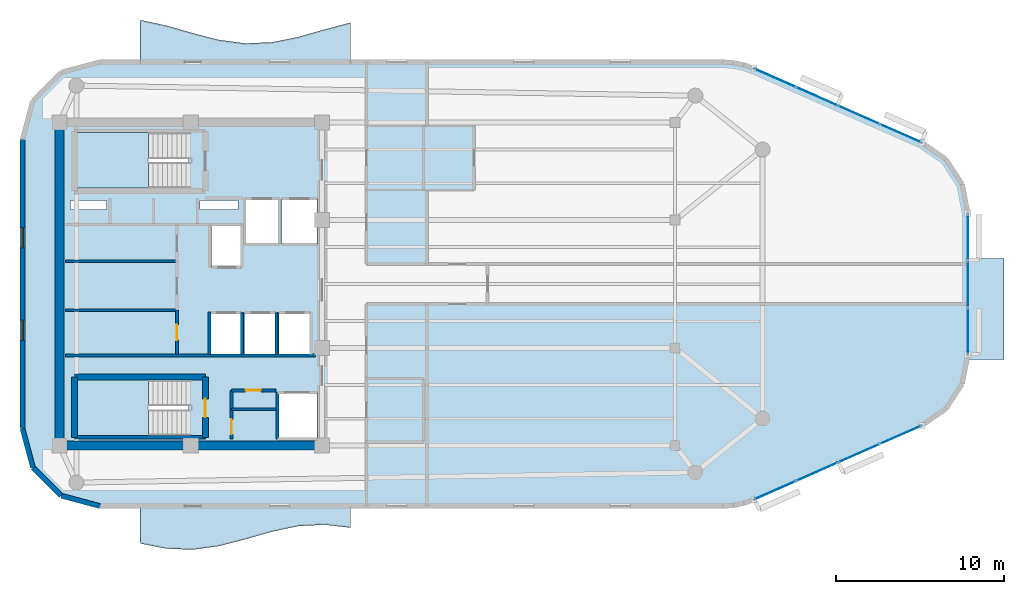
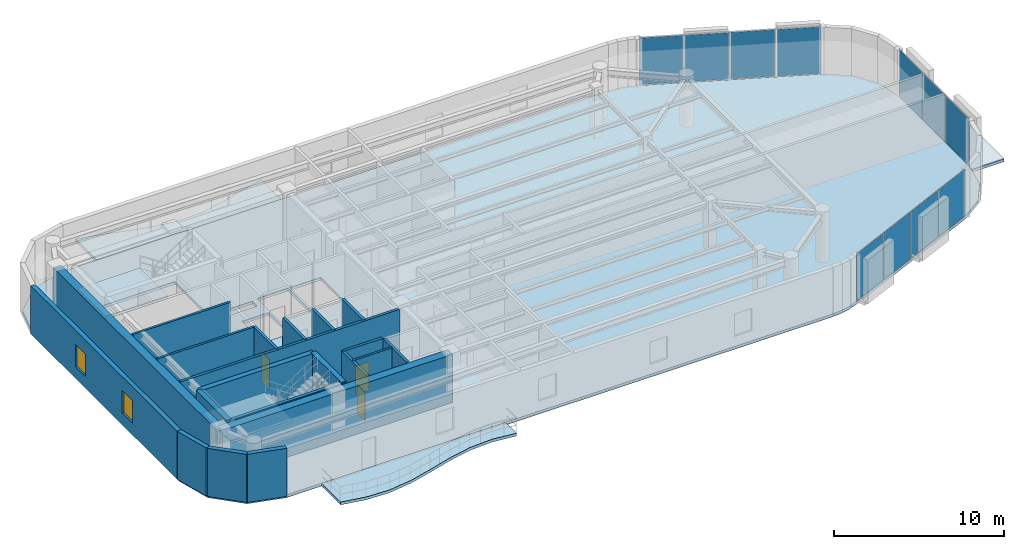
# One storey, part 7 of 12: 21 walls, 11 plates, 6 slabs, 4 doors, 2 windows, 6 openings, 5 elements without a shape of their own.
"""IFC4 building model written with IfcOpenShell, lengths in metres."""

import ifcopenshell
import ifcopenshell.guid

model = None  # the IFC model being written
_history = None  # IfcOwnerHistory: only IFC2X3 demands one
_inside = {}  # id of a spatial element -> (the spatial element, [elements in it])
_under = {}  # id of a project, library or spatial element -> (it, [spatial elements below it])
_declared = {}  # id of a project -> (the project, [libraries it declares])
_typed = {}  # id of a type object -> (the type object, [elements of that type])
_made_of = {}  # id of a material, layer set ... -> (it, [elements and type objects made of it])


def new_model(schema):
    """Start an empty IFC model of exactly this schema.

    Asked for "IFC4X3", IfcOpenShell would pick the latest addendum, in which some entities
    have other attributes; the version numbers below select the first issue.
    IFC2X3 requires an IfcOwnerHistory on every rooted entity: one is made here for all.
    """
    global model, _history
    if schema == "IFC4X3":
        model = ifcopenshell.file(schema_version=(4, 3, 0, 0))
    else:
        model = ifcopenshell.file(schema=schema)
    _inside.clear()
    _under.clear()
    _declared.clear()
    _typed.clear()
    _made_of.clear()
    _history = None
    if model.schema == "IFC2X3":
        org = make("IfcOrganization", Name="unknown")
        user = make(
            "IfcPersonAndOrganization",
            ThePerson=make("IfcPerson", FamilyName="unknown"),
            TheOrganization=org,
        )
        app = make(
            "IfcApplication",
            ApplicationDeveloper=org,
            Version="unknown",
            ApplicationFullName="unknown",
            ApplicationIdentifier="unknown",
        )
        _history = make(
            "IfcOwnerHistory",
            OwningUser=user,
            OwningApplication=app,
            ChangeAction="ADDED",
            CreationDate=0,
        )
    return model


def make(cls, **values):
    """One entity of the class cls with the attributes given. An attribute that is None is left unset."""
    return model.create_entity(
        cls, **{name: value for name, value in values.items() if value is not None}
    )


def rooted(cls, **values):
    """An entity with a GlobalId (a new one), such as an element, a storey or a relation."""
    return make(cls, GlobalId=ifcopenshell.guid.new(), OwnerHistory=_history, **values)


def si_unit(unit_type, name, prefix=None):
    """IfcSIUnit, for example si_unit("LENGTHUNIT", "METRE", prefix="MILLI")."""
    return make("IfcSIUnit", UnitType=unit_type, Prefix=prefix, Name=name)


def assignment(units):
    """IfcUnitAssignment: the units of a project."""
    return None if units is None else make("IfcUnitAssignment", Units=units)


def point(xyz):
    """IfcCartesianPoint."""
    return None if xyz is None else make("IfcCartesianPoint", Coordinates=xyz)


def direction(xyz):
    """IfcDirection."""
    return None if xyz is None else make("IfcDirection", DirectionRatios=xyz)


def frame(location, z_axis=None, x_axis=None):
    """IfcAxis2Placement3D, a coordinate frame: its origin and axes. An axis left out is left unset."""
    return make(
        "IfcAxis2Placement3D",
        Location=point(location),
        Axis=direction(z_axis),
        RefDirection=direction(x_axis),
    )


def frame_2d(location, x_axis=None):
    """IfcAxis2Placement2D, a coordinate frame in the plane: its origin and x axis."""
    return make(
        "IfcAxis2Placement2D", Location=point(location), RefDirection=direction(x_axis)
    )


def origin():
    """The frame at (0, 0, 0) with its axes left unset."""
    return frame((0.0, 0.0, 0.0))


def origin_2d():
    """The frame at (0, 0) in the plane with its x axis left unset."""
    return frame_2d((0.0, 0.0))


def place(relative_to, where):
    """IfcLocalPlacement: puts the frame where relative to a parent placement (None: the world)."""
    return make(
        "IfcLocalPlacement", PlacementRelTo=relative_to, RelativePlacement=where
    )


def context(
    kind, dimensions, precision=None, world=None, true_north=None, identifier=None
):
    """IfcGeometricRepresentationContext, for example the 3D "Model" context."""
    return make(
        "IfcGeometricRepresentationContext",
        ContextIdentifier=identifier,
        ContextType=kind,
        CoordinateSpaceDimension=dimensions,
        Precision=precision,
        WorldCoordinateSystem=world,
        TrueNorth=true_north,
    )


def subcontext(parent, identifier, kind, view, scale=None):
    """IfcGeometricRepresentationSubContext, for example "Body" below "Model"."""
    return make(
        "IfcGeometricRepresentationSubContext",
        ContextIdentifier=identifier,
        ContextType=kind,
        ParentContext=parent,
        TargetScale=scale,
        TargetView=view,
    )


def project(units=None, contexts=None):
    """IfcProject with its units and contexts."""
    return rooted(
        "IfcProject",
        Name="project",
        RepresentationContexts=contexts,
        UnitsInContext=assignment(units),
    )


def spatial(cls, under=None, at=None, **own):
    """A site, building, storey or space (cls), placed at a placement, below another one or the project."""
    s = rooted(cls, ObjectPlacement=at, **own)
    if under is not None:
        _under.setdefault(under.id(), (under, []))[1].append(s)
    return s


def polyline(points):
    """IfcPolyline through the points."""
    return make("IfcPolyline", Points=[point(p) for p in points])


def profile(cls, at=None, kind="AREA", **sizes):
    """A parametric profile (cls). Its sizes go by their IFC names, for example OverallWidth=200.0."""
    return make(cls, ProfileType=kind, Position=at, **sizes)


def rectangle(**sizes):
    """IfcRectangleProfileDef."""
    return profile("IfcRectangleProfileDef", **sizes)


def outline(outer, holes=None, kind="AREA"):
    """IfcArbitraryClosedProfileDef: a profile drawn as a closed curve; with holes, ...WithVoids."""
    if holes is None:
        return make("IfcArbitraryClosedProfileDef", ProfileType=kind, OuterCurve=outer)
    return make(
        "IfcArbitraryProfileDefWithVoids",
        ProfileType=kind,
        OuterCurve=outer,
        InnerCurves=holes,
    )


def extrude(swept, where, along, depth):
    """IfcExtrudedAreaSolid: the profile swept, set in the frame where, extruded along a direction by depth."""
    return make(
        "IfcExtrudedAreaSolid",
        SweptArea=swept,
        Position=where,
        ExtrudedDirection=direction(along),
        Depth=depth,
    )


def shape(context_of_items, identifier, shape_type, items):
    """IfcShapeRepresentation: the items that make up one representation, for example the "Body"."""
    return make(
        "IfcShapeRepresentation",
        ContextOfItems=context_of_items,
        RepresentationIdentifier=identifier,
        RepresentationType=shape_type,
        Items=items,
    )


def material(Name=None, Category=None):
    """IfcMaterial."""
    return make("IfcMaterial", Name=Name, Category=Category)


def layer(
    of_material, thickness, ventilated=None, Name=None, Category=None, Priority=None
):
    """IfcMaterialLayer: one layer of a wall or slab, of a material (None: an air gap)."""
    return make(
        "IfcMaterialLayer",
        Material=of_material,
        LayerThickness=thickness,
        IsVentilated=ventilated,
        Name=Name,
        Category=Category,
        Priority=Priority,
    )


def layer_set(layers, Name=None):
    """IfcMaterialLayerSet."""
    return make("IfcMaterialLayerSet", MaterialLayers=layers, LayerSetName=Name)


def made_of(thing, what):
    """Note that an element or type object is made of a material, layer set ...; save() writes the relation."""
    if what is not None:
        _made_of.setdefault(what.id(), (what, []))[1].append(thing)
    return thing


def type_object(cls, material=None, **own):
    """A type object (cls), such as IfcWallType, which elements share."""
    return made_of(rooted(cls, **own), material)


def element(
    cls,
    number,
    at=None,
    inside=None,
    cuts=None,
    type_object=None,
    material=None,
    context=None,
    identifier="Body",
    shape_type=None,
    held_by="IfcProductDefinitionShape",
    body=None,
    shapes=None,
    **own,
):
    """One element of the class cls, such as IfcWall. Its Tag is "e" and its number.

    at: its placement. inside: the storey or other place that contains it. cuts: it is an
    opening in that element (IfcRelVoidsElement). A single representation is given by context,
    identifier, shape_type and body (its items); several are given by shapes. held_by: the class
    of the entity that holds the representations. save() writes the other relations.
    """
    e = rooted(cls, Tag="e%d" % number, ObjectPlacement=at, **own)
    if body is not None:
        shapes = [shape(context, identifier, shape_type, body)]
    if shapes is not None:
        e.Representation = make(held_by, Representations=shapes)
    if inside is not None:
        _inside.setdefault(inside.id(), (inside, []))[1].append(e)
    if cuts is not None:
        rooted(
            "IfcRelVoidsElement", RelatingBuildingElement=cuts, RelatedOpeningElement=e
        )
    if type_object is not None:
        _typed.setdefault(type_object.id(), (type_object, []))[1].append(e)
    return made_of(e, material)


def fill(opening, filler):
    """IfcRelFillsElement: the door or window that sits in an opening."""
    return rooted(
        "IfcRelFillsElement",
        RelatingOpeningElement=opening,
        RelatedBuildingElement=filler,
    )


def aggregate(whole, parts):
    """IfcRelAggregates: a whole, such as a stair, and the parts it consists of."""
    return rooted("IfcRelAggregates", RelatingObject=whole, RelatedObjects=parts)


def save(model, path):
    """Write the relations noted so far, then the file.

    IfcRelAggregates (storeys below a building ...), IfcRelContainedInSpatialStructure (elements
    in a storey), IfcRelDefinesByType, IfcRelAssociatesMaterial and IfcRelDeclares: one each for
    every whole, place, type object, material and project.
    """
    for whole, parts in _under.values():
        aggregate(whole, parts)
    for where, things in _inside.values():
        rooted(
            "IfcRelContainedInSpatialStructure",
            RelatedElements=things,
            RelatingStructure=where,
        )
    for kind, things in _typed.values():
        rooted("IfcRelDefinesByType", RelatedObjects=things, RelatingType=kind)
    for what, things in _made_of.values():
        rooted("IfcRelAssociatesMaterial", RelatedObjects=things, RelatingMaterial=what)
    for by, libraries in _declared.values():
        rooted("IfcRelDeclares", RelatingContext=by, RelatedDefinitions=libraries)
    model.write(path)


model = new_model("IFC4")

# Units and contexts
model_context = context("Model", 3, precision=1e-05, world=origin(), true_north=direction((0.0, 1.0)))
body_context = subcontext(model_context, "Body", "Model", "MODEL_VIEW")
ifc_project = project(units=[si_unit("LENGTHUNIT", "METRE"), si_unit("AREAUNIT", "SQUARE_METRE"), si_unit("VOLUMEUNIT", "CUBIC_METRE"), si_unit("PLANEANGLEUNIT", "RADIAN"), si_unit("MASSUNIT", "GRAM", prefix="KILO")], contexts=[model_context])

# Site, building, storey
site_placement = place(None, origin())
site = spatial("IfcSite", under=ifc_project, at=site_placement, CompositionType="ELEMENT")
building_placement = place(site_placement, origin())
building = spatial("IfcBuilding", under=site, at=building_placement, Name="An Khanh Terracotta Commons", CompositionType="ELEMENT")
storey_placement = place(building_placement, frame((0.0, 0.0, 269.75)))
storey = spatial("IfcBuildingStorey", under=building, at=storey_placement, Name="L70", CompositionType="ELEMENT", Elevation=269.75)

# Curtain wall, plates
ifc_material_1 = material(Name="Anodised Aluminium 6063-T6", Category="aluminium")
ifc_layer_1 = layer(ifc_material_1, 0.2099609375, Name="Anodised Aluminium 6063-T6")
ifc_layer_set_1 = layer_set([ifc_layer_1], Name="Anodised Aluminium 6063-T6")
curtain_wall_type = type_object("IfcCurtainWallType", Name="CW-SYS-03", PredefinedType="USERDEFINED", material=ifc_layer_set_1)
curtain_wall_1_placement = place(storey_placement, origin())
curtain_wall_1 = element("IfcCurtainWall", 1, at=curtain_wall_1_placement, inside=storey, type_object=curtain_wall_type, Name="L70 CW-03 Unitised Curtain Wall CW-L70-08", ObjectType="UNITISED CURTAIN WALL", PredefinedType="USERDEFINED")
ifc_material_2 = material(Name="Acoustic Laminated Low-E Glazing", Category="glass")
ifc_layer_2 = layer(ifc_material_2, 0.035888671875, Name="Acoustic Laminated Low-E Glazing")
ifc_layer_set_2 = layer_set([ifc_layer_2], Name="Acoustic Laminated Low-E Glazing")
plate_type = type_object("IfcPlateType", Name="CWP-IGU-36", PredefinedType="CURTAIN_PANEL", material=ifc_layer_set_2)
plate_1_placement = place(storey_placement, frame((64.149169921875, 11.748046875, 0.050048828125), z_axis=(0.0, 0.0, 1.0), x_axis=(0.914901853201, 0.403676354285, 0.0)))
plate_1 = element("IfcPlate", 2, at=plate_1_placement, type_object=plate_type, Name="CW-03 panel 1.1", PredefinedType="CURTAIN_PANEL", context=body_context, shape_type="SweptSolid", body=[
    extrude(rectangle(XDim=2.619384765625, YDim=0.035888671875, at=origin_2d()), origin(), (0.0, 0.0, 1.0), 3.35009765625),
])
plate_2_placement = place(storey_placement, frame((66.625732421875, 12.840576171875, 0.050048828125), z_axis=(0.0, 0.0, 1.0), x_axis=(0.914901853201, 0.403676354285, 0.0)))
plate_2 = element("IfcPlate", 3, at=plate_2_placement, type_object=plate_type, Name="CW-03 panel 2.1", PredefinedType="CURTAIN_PANEL", context=body_context, shape_type="SweptSolid", body=[
    extrude(rectangle(XDim=2.654296875, YDim=0.035888671875, at=origin_2d()), origin(), (0.0, 0.0, 1.0), 3.35009765625),
])
plate_3_placement = place(storey_placement, frame((69.1181640625, 13.9404296875, 0.050048828125), z_axis=(0.0, 0.0, 1.0), x_axis=(0.914901853201, 0.403676354285, 0.0)))
plate_3 = element("IfcPlate", 4, at=plate_3_placement, type_object=plate_type, Name="CW-03 panel 3.1", PredefinedType="CURTAIN_PANEL", context=body_context, shape_type="SweptSolid", body=[
    extrude(rectangle(XDim=2.654296875, YDim=0.035888671875, at=origin_2d()), origin(), (0.0, 0.0, 1.0), 3.35009765625),
])
plate_4_placement = place(storey_placement, frame((71.5947265625, 15.032958984375, 0.050048828125), z_axis=(0.0, 0.0, 1.0), x_axis=(0.914901853201, 0.403676354285, 0.0)))
plate_4 = element("IfcPlate", 5, at=plate_4_placement, type_object=plate_type, Name="CW-03 panel 4.1", PredefinedType="CURTAIN_PANEL", context=body_context, shape_type="SweptSolid", body=[
    extrude(rectangle(XDim=2.619384765625, YDim=0.035888671875, at=origin_2d()), origin(), (0.0, 0.0, 1.0), 3.35009765625),
])
aggregate(curtain_wall_1, [plate_1, plate_2, plate_3, plate_4])

curtain_wall_2_placement = place(storey_placement, origin())
curtain_wall_2 = element("IfcCurtainWall", 6, at=curtain_wall_2_placement, inside=storey, type_object=curtain_wall_type, Name="L70 CW-03 Unitised Curtain Wall CW-L70-12", ObjectType="UNITISED CURTAIN WALL", PredefinedType="USERDEFINED")
plate_5_placement = place(storey_placement, frame((75.60009765625, 21.216064453125, 0.050048828125), z_axis=(0.0, 0.0, 1.0), x_axis=(0.0, 1.0, 0.0)))
plate_5 = element("IfcPlate", 7, at=plate_5_placement, type_object=plate_type, Name="CW-03 panel 1.1", PredefinedType="CURTAIN_PANEL", context=body_context, shape_type="SweptSolid", body=[
    extrude(rectangle(XDim=2.6962890625, YDim=0.035888671875, at=origin_2d()), origin(), (0.0, 0.0, 1.0), 3.35009765625),
])
plate_6_placement = place(storey_placement, frame((75.60009765625, 24.0, 0.050048828125), z_axis=(0.0, 0.0, 1.0), x_axis=(0.0, 1.0, 0.0)))
plate_6 = element("IfcPlate", 8, at=plate_6_placement, type_object=plate_type, Name="CW-03 panel 2.1", PredefinedType="CURTAIN_PANEL", context=body_context, shape_type="SweptSolid", body=[
    extrude(rectangle(XDim=2.7314453125, YDim=0.035888671875, at=origin_2d()), origin(), (0.0, 0.0, 1.0), 3.35009765625),
])
plate_7_placement = place(storey_placement, frame((75.60009765625, 26.783935546875, 0.050048828125), z_axis=(0.0, 0.0, 1.0), x_axis=(0.0, 1.0, 0.0)))
plate_7 = element("IfcPlate", 9, at=plate_7_placement, type_object=plate_type, Name="CW-03 panel 3.1", PredefinedType="CURTAIN_PANEL", context=body_context, shape_type="SweptSolid", body=[
    extrude(rectangle(XDim=2.6962890625, YDim=0.035888671875, at=origin_2d()), origin(), (0.0, 0.0, 1.0), 3.35009765625),
])
aggregate(curtain_wall_2, [plate_5, plate_6, plate_7])

curtain_wall_3_placement = place(storey_placement, origin())
curtain_wall_3 = element("IfcCurtainWall", 10, at=curtain_wall_3_placement, inside=storey, type_object=curtain_wall_type, Name="L70 CW-03 Unitised Curtain Wall CW-L70-16", ObjectType="UNITISED CURTAIN WALL", PredefinedType="USERDEFINED")
plate_8_placement = place(storey_placement, frame((71.5947265625, 32.967041015625, 0.050048828125), z_axis=(0.0, 0.0, 1.0), x_axis=(-0.914901853201, 0.403676354285, 0.0)))
plate_8 = element("IfcPlate", 11, at=plate_8_placement, type_object=plate_type, Name="CW-03 panel 1.1", PredefinedType="CURTAIN_PANEL", context=body_context, shape_type="SweptSolid", body=[
    extrude(rectangle(XDim=2.619384765625, YDim=0.035888671875, at=origin_2d()), origin(), (0.0, 0.0, 1.0), 3.35009765625),
])
plate_9_placement = place(storey_placement, frame((69.1181640625, 34.0595703125, 0.050048828125), z_axis=(0.0, 0.0, 1.0), x_axis=(-0.914901853201, 0.403676354285, 0.0)))
plate_9 = element("IfcPlate", 12, at=plate_9_placement, type_object=plate_type, Name="CW-03 panel 2.1", PredefinedType="CURTAIN_PANEL", context=body_context, shape_type="SweptSolid", body=[
    extrude(rectangle(XDim=2.654296875, YDim=0.035888671875, at=origin_2d()), origin(), (0.0, 0.0, 1.0), 3.35009765625),
])
plate_10_placement = place(storey_placement, frame((66.625732421875, 35.159423828125, 0.050048828125), z_axis=(0.0, 0.0, 1.0), x_axis=(-0.914901853201, 0.403676354285, 0.0)))
plate_10 = element("IfcPlate", 13, at=plate_10_placement, type_object=plate_type, Name="CW-03 panel 3.1", PredefinedType="CURTAIN_PANEL", context=body_context, shape_type="SweptSolid", body=[
    extrude(rectangle(XDim=2.654296875, YDim=0.035888671875, at=origin_2d()), origin(), (0.0, 0.0, 1.0), 3.35009765625),
])
plate_11_placement = place(storey_placement, frame((64.149169921875, 36.251953125, 0.050048828125), z_axis=(0.0, 0.0, 1.0), x_axis=(-0.914901853201, 0.403676354285, 0.0)))
plate_11 = element("IfcPlate", 14, at=plate_11_placement, type_object=plate_type, Name="CW-03 panel 4.1", PredefinedType="CURTAIN_PANEL", context=body_context, shape_type="SweptSolid", body=[
    extrude(rectangle(XDim=2.619384765625, YDim=0.035888671875, at=origin_2d()), origin(), (0.0, 0.0, 1.0), 3.35009765625),
])
aggregate(curtain_wall_3, [plate_8, plate_9, plate_10, plate_11])

# Slabs
ifc_material_3 = material(Name="Concrete C40/50", Category="concrete")
ifc_layer_3 = layer(ifc_material_3, 0.199951171875, Name="Concrete C40/50")
ifc_layer_set_3 = layer_set([ifc_layer_3], Name="Concrete C40/50")
slab_type_1 = type_object("IfcSlabType", Name="SLAB-BALC-200", PredefinedType="FLOOR", material=ifc_layer_set_3)
slab_1_placement = place(storey_placement, frame((0.0, 0.0, -0.199951171875)))
element("IfcSlab", 15, at=slab_1_placement, inside=storey, type_object=slab_type_1, Name="L70 S Sinusoidal Wave Balcony Slab", PredefinedType="FLOOR", context=body_context, shape_type="SweptSolid", body=[
    extrude(outline(polyline([(26.39990234375, 10.800048828125), (26.39990234375, 8.574951171875), (27.9619140625, 8.26904296875), (29.52490234375, 8.2119140625), (31.0869140625, 8.424072265625), (32.64990234375, 8.827880859375), (34.2119140625, 9.27587890625), (35.77490234375, 9.60595703125), (37.3369140625, 9.696044921875), (38.89990234375, 9.513916015625), (38.89990234375, 10.800048828125), (26.39990234375, 10.800048828125)])), origin(), (0.0, 0.0, 1.0), 0.199951171875),
])
slab_2_placement = place(storey_placement, frame((0.0, 0.0, -0.199951171875)))
element("IfcSlab", 16, at=slab_2_placement, inside=storey, type_object=slab_type_1, Name="L70 N Sinusoidal Wave Balcony Slab", PredefinedType="FLOOR", context=body_context, shape_type="SweptSolid", body=[
    extrude(outline(polyline([(38.89990234375, 37.199951171875), (38.89990234375, 39.544921875), (37.3369140625, 39.1298828125), (35.77490234375, 38.68603515625), (34.2119140625, 38.375), (32.64990234375, 38.31005859375), (31.0869140625, 38.514892578125), (29.52490234375, 38.916015625), (27.9619140625, 39.364990234375), (26.39990234375, 39.699951171875), (26.39990234375, 37.199951171875), (38.89990234375, 37.199951171875)])), origin(), (0.0, 0.0, 1.0), 0.199951171875),
])
ifc_layer_4 = layer(ifc_material_3, 0.22998046875, Name="Concrete C40/50")
ifc_layer_set_4 = layer_set([ifc_layer_4], Name="Concrete C40/50")
slab_type_2 = type_object("IfcSlabType", Name="SLAB-BOXROOF-230", PredefinedType="ROOF", material=ifc_layer_set_4)
slab_3_placement = place(storey_placement, frame((0.0, 0.0, -0.199951171875)))
element("IfcSlab", 17, at=slab_3_placement, inside=storey, type_object=slab_type_2, Name="L70 Shifted Social Kitchen Box Closing Roof Slab (L69)", PredefinedType="ROOF", context=body_context, shape_type="SweptSolid", body=[
    extrude(outline(polyline([(75.60009765625, 19.530029296875), (77.75, 19.530029296875), (77.75, 25.530029296875), (75.60009765625, 25.530029296875), (75.60009765625, 19.530029296875)])), origin(), (0.0, 0.0, 1.0), 0.199951171875),
])

# Stair, slab
ifc_material_4 = material(Name="Precast concrete C40/50", Category="concrete")
stair_type = type_object("IfcStairType", Name="STAIR-CORE-1550", PredefinedType="HALF_TURN_STAIR", material=ifc_material_4)
stair_1_placement = place(storey_placement, origin())
stair_1 = element("IfcStair", 18, at=stair_1_placement, inside=storey, type_object=stair_type, Name="L70 Core Smokeproof Exit Stair ST-01", PredefinedType="HALF_TURN_STAIR")
ifc_layer_5 = layer(ifc_material_3, 0.18994140625, Name="Concrete C40/50")
ifc_layer_set_5 = layer_set([ifc_layer_5], Name="Concrete C40/50")
slab_type_3 = type_object("IfcSlabType", Name="SLAB-LANDING-190", PredefinedType="LANDING", material=ifc_layer_set_5)
slab_4_placement = place(storey_placement, frame((0.0, 0.0, 1.625)))
slab_4 = element("IfcSlab", 19, at=slab_4_placement, type_object=slab_type_3, Name="ST-01 landing 1", PredefinedType="LANDING", context=body_context, shape_type="SweptSolid", body=[
    extrude(outline(polyline([(26.889892578125, 33.0), (22.64990234375, 33.0), (22.64990234375, 29.699951171875), (26.889892578125, 29.699951171875), (26.889892578125, 33.0)])), origin(), (0.0, 0.0, 1.0), 0.199951171875),
])
aggregate(stair_1, [slab_4])

stair_2_placement = place(storey_placement, origin())
stair_2 = element("IfcStair", 20, at=stair_2_placement, inside=storey, type_object=stair_type, Name="L70 Core Smokeproof Exit Stair ST-02", PredefinedType="HALF_TURN_STAIR")
slab_5_placement = place(storey_placement, frame((0.0, 0.0, 1.625)))
slab_5 = element("IfcSlab", 21, at=slab_5_placement, type_object=slab_type_3, Name="ST-02 landing 1", PredefinedType="LANDING", context=body_context, shape_type="SweptSolid", body=[
    extrude(outline(polyline([(26.889892578125, 18.300048828125), (22.64990234375, 18.300048828125), (22.64990234375, 15.0), (26.889892578125, 15.0), (26.889892578125, 18.300048828125)])), origin(), (0.0, 0.0, 1.0), 0.199951171875),
])
aggregate(stair_2, [slab_5])

# Slab
ifc_layer_6 = layer(ifc_material_3, 0.199951171875, Name="Concrete C40/50")
ifc_layer_set_6 = layer_set([ifc_layer_6], Name="Concrete C40/50")
slab_type_4 = type_object("IfcSlabType", Name="SLAB-TYP-200", PredefinedType="FLOOR", material=ifc_layer_set_6)
slab_6_placement = place(storey_placement, frame((0.0, 0.0, -0.199951171875)))
element("IfcSlab", 22, at=slab_6_placement, inside=storey, type_object=slab_type_4, Name="L70 Structural Floor Slab", PredefinedType="FLOOR", context=body_context, shape_type="SweptSolid", body=[
    extrude(outline(polyline([(19.39990234375, 15.39990234375), (20.01611328125, 13.10009765625), (21.699951171875, 11.416015625), (24.0, 10.800048828125), (61.030029296875, 10.800048828125), (61.6650390625, 10.843994140625), (62.2880859375, 10.97509765625), (62.886962890625, 11.19091796875), (72.85693359375, 15.590087890625), (74.302001953125, 16.594970703125), (75.262939453125, 18.070068359375), (75.60009765625, 19.798095703125), (75.60009765625, 28.201904296875), (75.262939453125, 29.929931640625), (74.302001953125, 31.405029296875), (72.85693359375, 32.409912109375), (62.886962890625, 36.80908203125), (62.2880859375, 37.02490234375), (61.6650390625, 37.156005859375), (61.030029296875, 37.199951171875), (24.0, 37.199951171875), (21.699951171875, 36.583984375), (20.01611328125, 34.89990234375), (19.39990234375, 32.60009765625), (19.39990234375, 15.39990234375)]), holes=[polyline([(22.64990234375, 29.699951171875), (29.27001953125, 29.699951171875), (29.27001953125, 33.0), (22.64990234375, 33.0), (22.64990234375, 29.699951171875)]), polyline([(22.64990234375, 15.0), (29.27001953125, 15.0), (29.27001953125, 18.300048828125), (22.64990234375, 18.300048828125), (22.64990234375, 15.0)]), polyline([(32.60009765625, 26.35009765625), (34.679931640625, 26.35009765625), (34.679931640625, 29.080078125), (32.60009765625, 29.080078125), (32.60009765625, 26.35009765625)]), polyline([(34.820068359375, 26.35009765625), (36.89990234375, 26.35009765625), (36.89990234375, 29.080078125), (34.820068359375, 29.080078125), (34.820068359375, 26.35009765625)]), polyline([(34.550048828125, 14.800048828125), (36.89990234375, 14.800048828125), (36.89990234375, 17.550048828125), (34.550048828125, 17.550048828125), (34.550048828125, 14.800048828125)]), polyline([(30.639892578125, 25.0), (32.4599609375, 25.0), (32.4599609375, 27.5), (30.639892578125, 27.5), (30.639892578125, 25.0)]), polyline([(30.56005859375, 19.800048828125), (32.4599609375, 19.800048828125), (32.4599609375, 22.300048828125), (30.56005859375, 22.300048828125), (30.56005859375, 19.800048828125)]), polyline([(32.60009765625, 19.800048828125), (34.5, 19.800048828125), (34.5, 22.300048828125), (32.60009765625, 22.300048828125), (32.60009765625, 19.800048828125)]), polyline([(34.639892578125, 19.800048828125), (36.5400390625, 19.800048828125), (36.5400390625, 22.300048828125), (34.639892578125, 22.300048828125), (34.639892578125, 19.800048828125)]), polyline([(22.25, 28.419921875), (24.39990234375, 28.419921875), (24.39990234375, 28.97998046875), (22.25, 28.97998046875), (22.25, 28.419921875)]), polyline([(29.949951171875, 28.419921875), (32.199951171875, 28.419921875), (32.199951171875, 28.97998046875), (29.949951171875, 28.97998046875), (29.949951171875, 28.419921875)])]), origin(), (0.0, 0.0, 1.0), 0.199951171875),
])

# Walls
ifc_material_5 = material(Name="Concrete C50/60", Category="concrete")
ifc_layer_7 = layer(ifc_material_5, 0.550048828125, Name="Concrete C50/60")
ifc_layer_set_7 = layer_set([ifc_layer_7], Name="Concrete C50/60")
wall_type_1 = type_object("IfcWallType", Name="WALL-CORE-550", PredefinedType="SHEAR", material=ifc_layer_set_7)
wall_1_placement = place(storey_placement, frame((21.60009765625, 14.39990234375, 0.0), z_axis=(0.0, 0.0, 1.0), x_axis=(0.0, 1.0, 0.0)))
element("IfcWall", 23, at=wall_1_placement, inside=storey, type_object=wall_type_1, Name="L70 Core Wall CWALL-L70-W", PredefinedType="SHEAR", context=body_context, shape_type="SweptSolid", body=[
    extrude(rectangle(XDim=19.2001953125, YDim=0.550048828125, at=frame_2d((9.60009765625, 0.0))), origin(), (0.0, 0.0, 1.0), 3.449951171875),
])
wall_2_placement = place(storey_placement, frame((37.199951171875, 14.39990234375, 0.0), z_axis=(0.0, 0.0, 1.0), x_axis=(-1.0, 0.0, 0.0)))
element("IfcWall", 24, at=wall_2_placement, inside=storey, type_object=wall_type_1, Name="L70 Core Wall CWALL-L70-S", PredefinedType="SHEAR", context=body_context, shape_type="SweptSolid", body=[
    extrude(rectangle(XDim=15.599853515625, YDim=0.550048828125, at=frame_2d((7.7998046875, 0.0))), origin(), (0.0, 0.0, 1.0), 3.449951171875),
])
ifc_material_6 = material(Name="Fire-Rated Gypsum Board on Steel Stud", Category="steel")
ifc_layer_8 = layer(ifc_material_6, 0.179931640625, Name="Fire-Rated Gypsum Board on Steel Stud")
ifc_layer_set_8 = layer_set([ifc_layer_8], Name="Fire-Rated Gypsum Board on Steel Stud")
wall_type_2 = type_object("IfcWallType", Name="WALL-CORR-180", PredefinedType="PARTITIONING", material=ifc_layer_set_8)
wall_3_placement = place(storey_placement, frame((21.949951171875, 19.760009765625, 0.0), z_axis=(0.0, 0.0, 1.0), x_axis=(1.0, 0.0, 0.0)))
element("IfcWall", 25, at=wall_3_placement, inside=storey, type_object=wall_type_2, Name="L70 Core Wall SVW-L70-N", PredefinedType="PARTITIONING", context=body_context, shape_type="SweptSolid", body=[
    extrude(rectangle(XDim=14.8701171875, YDim=0.179931640625, at=frame_2d((7.43505859375, 0.0))), origin(), (0.0, 0.0, 1.0), 3.449951171875),
])

# Wall, opening, door
wall_4_placement = place(storey_placement, frame((31.820068359375, 17.679931640625, 0.0), z_axis=(0.0, 0.0, 1.0), x_axis=(1.0, 0.0, 0.0)))
wall_4 = element("IfcWall", 26, at=wall_4_placement, inside=storey, type_object=wall_type_2, Name="L70 Core Wall SSVCW-L70-N", PredefinedType="PARTITIONING", context=body_context, shape_type="SweptSolid", body=[
    extrude(rectangle(XDim=2.659912109375, YDim=0.179931640625, at=frame_2d((1.330078125, 0.0))), origin(), (0.0, 0.0, 1.0), 3.449951171875),
])
opening_1_placement = place(wall_4_placement, frame((0.85009765625, 0.0, 0.0)))
opening_1 = element("IfcOpeningElement", 27, at=opening_1_placement, cuts=wall_4, Name="Opening D-SV", PredefinedType="OPENING", context=body_context, shape_type="SweptSolid", body=[
    extrude(rectangle(XDim=0.89990234375, YDim=2.050048828125, at=frame_2d((0.449951171875, 1.02490234375))), frame((0.0, 0.099853515625, 0.0), z_axis=(0.0, -1.0, 0.0), x_axis=(1.0, 0.0, 0.0)), (0.0, 0.0, 1.0), 0.199951171875),
])
ifc_material_7 = material(Name="Fire-Rated Powder-Coated Steel Door", Category="steel")
door_type_1 = type_object("IfcDoorType", Name="DOOR-SERV-900", OperationType="NOTDEFINED", PredefinedType="DOOR", material=ifc_material_7)
door_1_placement = place(opening_1_placement, origin())
door_1 = element("IfcDoor", 28, at=door_1_placement, inside=storey, type_object=door_type_1, Name="L70 Core Cleaner Store Door", OperationType="SINGLE_SWING_LEFT", OverallHeight=2.050048828125, OverallWidth=0.89990234375, PredefinedType="DOOR", context=body_context, shape_type="SweptSolid", body=[
    extrude(rectangle(XDim=0.89990234375, YDim=2.050048828125, at=frame_2d((0.449951171875, 1.02490234375))), frame((0.0, 0.02490234375, 0.0), z_axis=(0.0, -1.0, 0.0), x_axis=(1.0, 0.0, 0.0)), (0.0, 0.0, 1.0), 0.050048828125),
])
fill(opening_1, door_1)

wall_5_placement = place(storey_placement, frame((31.820068359375, 14.800048828125, 0.0), z_axis=(0.0, 0.0, 1.0), x_axis=(0.0, 1.0, 0.0)))
wall_5 = element("IfcWall", 29, at=wall_5_placement, inside=storey, type_object=wall_type_2, Name="L70 Core Wall SSVCW-L70-W", PredefinedType="PARTITIONING", context=body_context, shape_type="SweptSolid", body=[
    extrude(rectangle(XDim=2.8798828125, YDim=0.179931640625, at=frame_2d((1.43994140625, 0.0))), origin(), (0.0, 0.0, 1.0), 3.449951171875),
])
opening_2_placement = place(wall_5_placement, frame((0.260009765625, 0.0, 0.0)))
opening_2 = element("IfcOpeningElement", 30, at=opening_2_placement, cuts=wall_5, Name="Opening D-SV", PredefinedType="OPENING", context=body_context, shape_type="SweptSolid", body=[
    extrude(rectangle(XDim=0.89990234375, YDim=2.050048828125, at=frame_2d((0.449951171875, 1.02490234375))), frame((0.0, 0.099853515625, 0.0), z_axis=(0.0, -1.0, 0.0), x_axis=(1.0, 0.0, 0.0)), (0.0, 0.0, 1.0), 0.199951171875),
])
door_2_placement = place(opening_2_placement, origin())
door_2 = element("IfcDoor", 31, at=door_2_placement, inside=storey, type_object=door_type_1, Name="L70 Telecoms BMS Cupboard Door", OperationType="SINGLE_SWING_RIGHT", OverallHeight=2.050048828125, OverallWidth=0.89990234375, PredefinedType="DOOR", context=body_context, shape_type="SweptSolid", body=[
    extrude(rectangle(XDim=0.89990234375, YDim=2.050048828125, at=frame_2d((0.449951171875, 1.02490234375))), frame((0.0, 0.02490234375, 0.0), z_axis=(0.0, -1.0, 0.0), x_axis=(1.0, 0.0, 0.0)), (0.0, 0.0, 1.0), 0.050048828125),
])
fill(opening_2, door_2)

# Walls
wall_6_placement = place(storey_placement, frame((34.550048828125, 17.550048828125, 0.0), z_axis=(0.0, 0.0, 1.0), x_axis=(0.0, -1.0, 0.0)))
element("IfcWall", 32, at=wall_6_placement, inside=storey, type_object=wall_type_2, Name="L70 Core Wall LSH-L70-SVL-01-W", PredefinedType="PARTITIONING", context=body_context, shape_type="SweptSolid", body=[
    extrude(rectangle(XDim=2.75, YDim=0.179931640625, at=frame_2d((1.375, 0.0))), origin(), (0.0, 0.0, 1.0), 3.449951171875),
])
for number, where, z_axis, x_axis, name in (
    (33, (32.4599609375, 19.800048828125, 0.0), (0.0, 0.0, 1.0), (0.0, 1.0, 0.0), "L70 Core Wall LSH-L70-PL-H2-E"),
    (34, (34.5, 19.800048828125, 0.0), (0.0, 0.0, 1.0), (0.0, 1.0, 0.0), "L70 Core Wall LSH-L70-PL-H3-E"),
):
    element("IfcWall", number, at=place(storey_placement, frame(where, z_axis=z_axis, x_axis=x_axis)), inside=storey, type_object=wall_type_2, Name=name, PredefinedType="PARTITIONING", context=body_context, shape_type="SweptSolid", body=[
        extrude(rectangle(XDim=2.5, YDim=0.179931640625, at=frame_2d((1.25, 0.0))), origin(), (0.0, 0.0, 1.0), 3.449951171875),
    ])
wall_7_placement = place(storey_placement, frame((30.52001953125, 19.800048828125, 0.0), z_axis=(0.0, 0.0, 1.0), x_axis=(0.0, 1.0, 0.0)))
element("IfcWall", 35, at=wall_7_placement, inside=storey, type_object=wall_type_2, Name="L70 Core Wall RECW-L70-BE2", PredefinedType="PARTITIONING", context=body_context, shape_type="SweptSolid", body=[
    extrude(rectangle(XDim=2.550048828125, YDim=0.179931640625, at=frame_2d((1.27490234375, 0.0))), origin(), (0.0, 0.0, 1.0), 3.449951171875),
])

# Wall, opening, door
wall_8_placement = place(storey_placement, frame((28.580078125, 19.800048828125, 0.0), z_axis=(0.0, 0.0, 1.0), x_axis=(0.0, 1.0, 0.0)))
wall_8 = element("IfcWall", 36, at=wall_8_placement, inside=storey, type_object=wall_type_2, Name="L70 Core Wall RECW-L70-E3", PredefinedType="PARTITIONING", context=body_context, shape_type="SweptSolid", body=[
    extrude(rectangle(XDim=2.64990234375, YDim=0.179931640625, at=frame_2d((1.324951171875, 0.0))), origin(), (0.0, 0.0, 1.0), 3.449951171875),
])
opening_3_placement = place(wall_8_placement, frame((0.864990234375, 0.0, 0.0)))
opening_3 = element("IfcOpeningElement", 37, at=opening_3_placement, cuts=wall_8, Name="Opening D-RM", PredefinedType="OPENING", context=body_context, shape_type="SweptSolid", body=[
    extrude(rectangle(XDim=0.919921875, YDim=2.10009765625, at=frame_2d((0.4599609375, 1.050048828125))), frame((0.0, 0.099853515625, 0.0), z_axis=(0.0, -1.0, 0.0), x_axis=(1.0, 0.0, 0.0)), (0.0, 0.0, 1.0), 0.199951171875),
])
ifc_material_8 = material(Name="Engineered Hardwood Timber Leaf", Category="wood")
door_type_2 = type_object("IfcDoorType", Name="DOOR-INT-920", OperationType="NOTDEFINED", PredefinedType="DOOR", material=ifc_material_8)
door_3_placement = place(opening_3_placement, origin())
door_3 = element("IfcDoor", 38, at=door_3_placement, inside=storey, type_object=door_type_2, Name="L70 Communal Laundry Room Door", OperationType="SINGLE_SWING_LEFT", OverallHeight=2.10009765625, OverallWidth=0.919921875, PredefinedType="DOOR", context=body_context, shape_type="SweptSolid", body=[
    extrude(rectangle(XDim=0.919921875, YDim=2.10009765625, at=frame_2d((0.4599609375, 1.050048828125))), frame((0.0, 0.02490234375, 0.0), z_axis=(0.0, -1.0, 0.0), x_axis=(1.0, 0.0, 0.0)), (0.0, 0.0, 1.0), 0.050048828125),
])
fill(opening_3, door_3)

# Walls
ifc_layer_9 = layer(ifc_material_4, 0.300048828125, Name="Precast concrete C40/50")
ifc_layer_set_9 = layer_set([ifc_layer_9], Name="Precast concrete C40/50")
wall_type_3 = type_object("IfcWallType", Name="WALL-EXT-300", PredefinedType="SOLIDWALL", material=ifc_layer_set_9)
wall_9_placement = place(storey_placement, frame((19.39990234375, 15.39990234375, 0.0), z_axis=(0.0, 0.0, 1.0), x_axis=(0.258811258154, -0.965927912762, 0.0)))
element("IfcWall", 39, at=wall_9_placement, inside=storey, type_object=wall_type_3, Name="L70 Insulated Terracotta Exterior Wall 1", PredefinedType="SOLIDWALL", context=body_context, shape_type="SweptSolid", body=[
    extrude(rectangle(XDim=2.380859375, YDim=0.300048828125, at=frame_2d((1.1904296875, 0.0))), origin(), (0.0, 0.0, 1.0), 3.449951171875),
])
wall_10_placement = place(storey_placement, frame((20.01611328125, 13.10009765625, 0.0), z_axis=(0.0, 0.0, 1.0), x_axis=(0.707055521135, -0.707158037522, 0.0)))
element("IfcWall", 40, at=wall_10_placement, inside=storey, type_object=wall_type_3, Name="L70 Insulated Terracotta Exterior Wall 2", PredefinedType="SOLIDWALL", context=body_context, shape_type="SweptSolid", body=[
    extrude(rectangle(XDim=2.381591796875, YDim=0.300048828125, at=frame_2d((1.19091796875, 0.0))), origin(), (0.0, 0.0, 1.0), 3.449951171875),
])
wall_11_placement = place(storey_placement, frame((21.699951171875, 11.416015625, 0.0), z_axis=(0.0, 0.0, 1.0), x_axis=(0.965960405575, -0.25868995895, 0.0)))
element("IfcWall", 41, at=wall_11_placement, inside=storey, type_object=wall_type_3, Name="L70 Insulated Terracotta Exterior Wall 3", PredefinedType="SOLIDWALL", context=body_context, shape_type="SweptSolid", body=[
    extrude(rectangle(XDim=2.381103515625, YDim=0.300048828125, at=frame_2d((1.1904296875, 0.0))), origin(), (0.0, 0.0, 1.0), 3.449951171875),
])

# Wall, openings, windows
wall_12_placement = place(storey_placement, frame((19.39990234375, 32.60009765625, 0.0), z_axis=(0.0, 0.0, 1.0), x_axis=(0.0, -1.0, 0.0)))
wall_12 = element("IfcWall", 42, at=wall_12_placement, inside=storey, type_object=wall_type_3, Name="L70 Insulated Terracotta Exterior Wall 24", PredefinedType="SOLIDWALL", context=body_context, shape_type="SweptSolid", body=[
    extrude(rectangle(XDim=17.2001953125, YDim=0.300048828125, at=frame_2d((8.60009765625, 0.0))), origin(), (0.0, 0.0, 1.0), 3.449951171875),
])
opening_4_placement = place(wall_12_placement, frame((5.25, 0.0, 0.85009765625)))
opening_4 = element("IfcOpeningElement", 43, at=opening_4_placement, cuts=wall_12, Name="Opening W-05", PredefinedType="OPENING", context=body_context, shape_type="SweptSolid", body=[
    extrude(rectangle(XDim=1.199951171875, YDim=1.60009765625, at=frame_2d((0.60009765625, 0.800048828125))), frame((0.0, 0.159912109375, 0.0), z_axis=(0.0, -1.0, 0.0), x_axis=(1.0, 0.0, 0.0)), (0.0, 0.0, 1.0), 0.320068359375),
])
opening_5_placement = place(wall_12_placement, frame((10.75, 0.0, 0.85009765625)))
opening_5 = element("IfcOpeningElement", 44, at=opening_5_placement, cuts=wall_12, Name="Opening W-05", PredefinedType="OPENING", context=body_context, shape_type="SweptSolid", body=[
    extrude(rectangle(XDim=1.199951171875, YDim=1.60009765625, at=frame_2d((0.60009765625, 0.800048828125))), frame((0.0, 0.159912109375, 0.0), z_axis=(0.0, -1.0, 0.0), x_axis=(1.0, 0.0, 0.0)), (0.0, 0.0, 1.0), 0.320068359375),
])
ifc_material_9 = material(Name="Thermally Broken Aluminium and Low-E Glass", Category="aluminium")
window_type = type_object("IfcWindowType", Name="WIN-Z5-1200x1600", PartitioningType="SINGLE_PANEL", PredefinedType="WINDOW", material=ifc_material_9)
window_1_placement = place(opening_4_placement, origin())
window_1 = element("IfcWindow", 45, at=window_1_placement, inside=storey, type_object=window_type, Name="L70 Operable Casement Window 24.1", OverallHeight=1.60009765625, OverallWidth=1.199951171875, PartitioningType="SINGLE_PANEL", PredefinedType="WINDOW", context=body_context, shape_type="SweptSolid", body=[
    extrude(rectangle(XDim=1.199951171875, YDim=1.60009765625, at=frame_2d((0.60009765625, 0.800048828125))), frame((0.0, 0.030029296875, 0.0), z_axis=(0.0, -1.0, 0.0), x_axis=(1.0, 0.0, 0.0)), (0.0, 0.0, 1.0), 0.06005859375),
])
fill(opening_4, window_1)
window_2_placement = place(opening_5_placement, origin())
window_2 = element("IfcWindow", 46, at=window_2_placement, inside=storey, type_object=window_type, Name="L70 Operable Casement Window 24.2", OverallHeight=1.60009765625, OverallWidth=1.199951171875, PartitioningType="SINGLE_PANEL", PredefinedType="WINDOW", context=body_context, shape_type="SweptSolid", body=[
    extrude(rectangle(XDim=1.199951171875, YDim=1.60009765625, at=frame_2d((0.60009765625, 0.800048828125))), frame((0.0, 0.030029296875, 0.0), z_axis=(0.0, -1.0, 0.0), x_axis=(1.0, 0.0, 0.0)), (0.0, 0.0, 1.0), 0.06005859375),
])
fill(opening_5, window_2)

# Walls
ifc_material_10 = material(Name="Acoustic Gypsum Board Partition")
ifc_layer_10 = layer(ifc_material_10, 0.14990234375, Name="Acoustic Gypsum Board Partition")
ifc_layer_set_10 = layer_set([ifc_layer_10], Name="Acoustic Gypsum Board Partition")
wall_type_4 = type_object("IfcWallType", Name="WALL-PART-150", PredefinedType="PARTITIONING", material=ifc_layer_set_10)
wall_13_placement = place(storey_placement, frame((31.820068359375, 16.550048828125, 0.0), z_axis=(0.0, 0.0, 1.0), x_axis=(1.0, 0.0, 0.0)))
element("IfcWall", 47, at=wall_13_placement, inside=storey, type_object=wall_type_4, Name="L70 Core Wall SSVCW-L70-M", PredefinedType="PARTITIONING", context=body_context, shape_type="SweptSolid", body=[
    extrude(rectangle(XDim=2.659912109375, YDim=0.14990234375, at=frame_2d((1.330078125, 0.0))), origin(), (0.0, 0.0, 1.0), 3.449951171875),
])
for number, where, z_axis, x_axis, name in (
    (48, (21.949951171875, 25.35009765625, 0.0), (0.0, 0.0, 1.0), (1.0, 0.0, 0.0), "L70 Core Wall RECW-L70-H1"),
    (49, (21.949951171875, 22.449951171875, 0.0), (0.0, 0.0, 1.0), (1.0, 0.0, 0.0), "L70 Core Wall RECW-L70-H2"),
):
    element("IfcWall", number, at=place(storey_placement, frame(where, z_axis=z_axis, x_axis=x_axis)), inside=storey, type_object=wall_type_4, Name=name, PredefinedType="PARTITIONING", context=body_context, shape_type="SweptSolid", body=[
        extrude(rectangle(XDim=6.630126953125, YDim=0.14990234375, at=frame_2d((3.31494140625, 0.0))), origin(), (0.0, 0.0, 1.0), 3.449951171875),
    ])
ifc_material_11 = material(Name="Acoustic Double-Stud Gypsum and Mineral Wool")
ifc_layer_11 = layer(ifc_material_11, 0.219970703125, Name="Acoustic Double-Stud Gypsum and Mineral Wool")
ifc_layer_set_11 = layer_set([ifc_layer_11], Name="Acoustic Double-Stud Gypsum and Mineral Wool")
wall_type_5 = type_object("IfcWallType", Name="WALL-PARTY-220", PredefinedType="PARTITIONING", material=ifc_layer_set_11)
wall_14_placement = place(storey_placement, frame((22.47998046875, 14.889892578125, 0.0), z_axis=(0.0, 0.0, 1.0), x_axis=(1.0, 0.0, 0.0)))
element("IfcWall", 50, at=wall_14_placement, inside=storey, type_object=wall_type_5, Name="L70 Core Wall STW-L70-S-S", PredefinedType="PARTITIONING", context=body_context, shape_type="SweptSolid", body=[
    extrude(rectangle(XDim=7.7900390625, YDim=0.219970703125, at=frame_2d((3.89501953125, 0.0))), origin(), (0.0, 0.0, 1.0), 3.449951171875),
])
ifc_layer_12 = layer(ifc_material_5, 0.35009765625, Name="Concrete C50/60")
ifc_layer_set_12 = layer_set([ifc_layer_12], Name="Concrete C50/60")
wall_type_6 = type_object("IfcWallType", Name="WALL-SHAFT-350", PredefinedType="SOLIDWALL", material=ifc_layer_set_12)
wall_15_placement = place(storey_placement, frame((22.47998046875, 18.469970703125, 0.0), z_axis=(0.0, 0.0, 1.0), x_axis=(1.0, 0.0, 0.0)))
element("IfcWall", 51, at=wall_15_placement, inside=storey, type_object=wall_type_6, Name="L70 Core Wall STW-L70-S-N", PredefinedType="SOLIDWALL", context=body_context, shape_type="SweptSolid", body=[
    extrude(rectangle(XDim=7.7900390625, YDim=0.35009765625, at=frame_2d((3.89501953125, 0.0))), origin(), (0.0, 0.0, 1.0), 3.449951171875),
])
wall_16_placement = place(storey_placement, frame((22.47998046875, 14.889892578125, 0.0), z_axis=(0.0, 0.0, 1.0), x_axis=(0.0, 1.0, 0.0)))
element("IfcWall", 52, at=wall_16_placement, inside=storey, type_object=wall_type_6, Name="L70 Core Wall STW-L70-S-W", PredefinedType="SOLIDWALL", context=body_context, shape_type="SweptSolid", body=[
    extrude(rectangle(XDim=3.580078125, YDim=0.35009765625, at=frame_2d((1.7900390625, 0.0))), origin(), (0.0, 0.0, 1.0), 3.449951171875),
])

# Wall, opening, door
wall_17_placement = place(storey_placement, frame((30.27001953125, 14.889892578125, 0.0), z_axis=(0.0, 0.0, 1.0), x_axis=(0.0, 1.0, 0.0)))
wall_17 = element("IfcWall", 53, at=wall_17_placement, inside=storey, type_object=wall_type_6, Name="L70 Core Wall STW-L70-S-E", PredefinedType="SOLIDWALL", context=body_context, shape_type="SweptSolid", body=[
    extrude(rectangle(XDim=3.580078125, YDim=0.35009765625, at=frame_2d((1.7900390625, 0.0))), origin(), (0.0, 0.0, 1.0), 3.449951171875),
])
opening_6_placement = place(wall_17_placement, frame((1.18994140625, 0.0, 0.0)))
opening_6 = element("IfcOpeningElement", 54, at=opening_6_placement, cuts=wall_17, Name="Opening D-ST", PredefinedType="OPENING", context=body_context, shape_type="SweptSolid", body=[
    extrude(rectangle(XDim=1.10009765625, YDim=2.14990234375, at=frame_2d((0.550048828125, 1.074951171875))), frame((0.0, 0.18505859375, 0.0), z_axis=(0.0, -1.0, 0.0), x_axis=(1.0, 0.0, 0.0)), (0.0, 0.0, 1.0), 0.3701171875),
])
ifc_material_12 = material(Name="Fire-Rated Steel Leaf and Frame", Category="steel")
door_type_3 = type_object("IfcDoorType", Name="DOOR-STAIR-1100", OperationType="NOTDEFINED", PredefinedType="DOOR", material=ifc_material_12)
door_4_placement = place(opening_6_placement, origin())
door_4 = element("IfcDoor", 55, at=door_4_placement, inside=storey, type_object=door_type_3, Name="L70 Stair ST-02 Fire Door", OperationType="SINGLE_SWING_RIGHT", OverallHeight=2.14990234375, OverallWidth=1.10009765625, PredefinedType="DOOR", context=body_context, shape_type="SweptSolid", body=[
    extrude(rectangle(XDim=1.10009765625, YDim=2.14990234375, at=frame_2d((0.550048828125, 1.074951171875))), frame((0.0, 0.02490234375, 0.0), z_axis=(0.0, -1.0, 0.0), x_axis=(1.0, 0.0, 0.0)), (0.0, 0.0, 1.0), 0.050048828125),
])
fill(opening_6, door_4)

save(model, "model.ifc")
